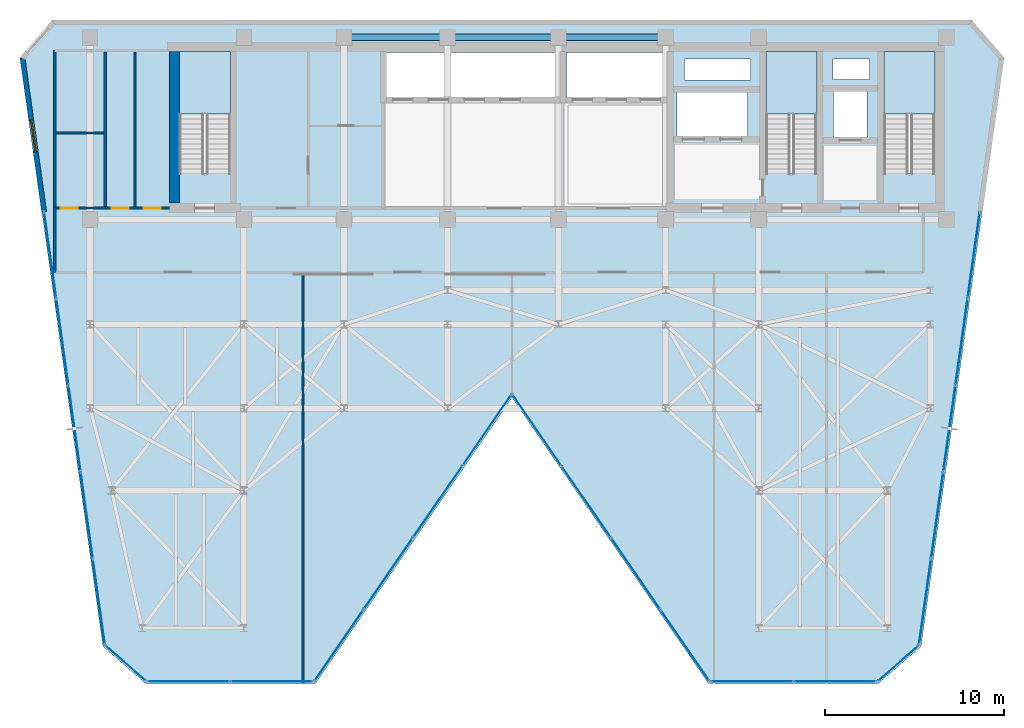
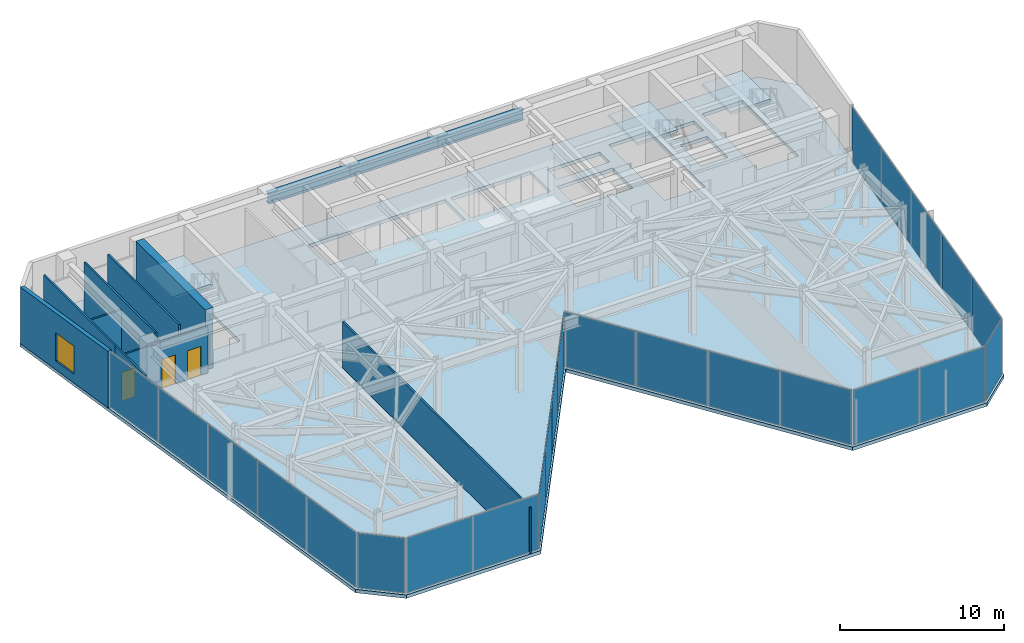
# One storey, part 21 of 25: 24 plates, 9 walls, 4 slabs, 3 beams, 3 doors, 1 window, 4 openings, 11 elements without a shape of their own.
"""IFC4 building model written with IfcOpenShell, lengths in metres."""

from ifc_helpers import new_model, si_unit, direction, frame, frame_2d, origin, origin_2d, place, context, subcontext, project, spatial, polyline, rectangle, i_section, outline, extrude, material, layer, layer_set, material_profile, profile_set, type_object, element, fill, aggregate, save


model = new_model("IFC4")

# Units and contexts
model_context = context("Model", 3, precision=1e-05, world=origin(), true_north=direction((0.0, 1.0)))
body_context = subcontext(model_context, "Body", "Model", "MODEL_VIEW")
ifc_project = project(units=[si_unit("LENGTHUNIT", "METRE"), si_unit("AREAUNIT", "SQUARE_METRE"), si_unit("VOLUMEUNIT", "CUBIC_METRE"), si_unit("PLANEANGLEUNIT", "RADIAN"), si_unit("MASSUNIT", "GRAM", prefix="KILO")], contexts=[model_context])

# Site, building, storey
site_placement = place(None, origin())
site = spatial("IfcSite", under=ifc_project, at=site_placement, CompositionType="ELEMENT")
building_placement = place(site_placement, origin())
building = spatial("IfcBuilding", under=site, at=building_placement, Name="Kravanh Interchange Tower", CompositionType="ELEMENT")
storey_placement = place(building_placement, frame((0.0, 0.0, 220.5)))
storey = spatial("IfcBuildingStorey", under=building, at=storey_placement, Name="L53", CompositionType="ELEMENT", Elevation=220.5)

# Beams
ifc_material_1 = material(Name="Structural Steel S355", Category="steel")
ifc_material_profile = material_profile(ifc_material_1, i_section(OverallWidth=0.381103515625, OverallDepth=0.77294921875, WebThickness=0.0166015625, FlangeThickness=0.027099609375, FilletRadius=0.02490234375, at=origin_2d()), Name="W30X173")
ifc_profile_set = profile_set([ifc_material_profile], Name="Structural Steel S355")
beam_type = type_object("IfcBeamType", Name="Floor Beam W30X173 Structural Steel S355", PredefinedType="BEAM", material=ifc_profile_set)
beam_1_placement = place(storey_placement, frame((50.800048828125, 47.550048828125, 3.83349609375), z_axis=(-1.0, 0.0, 0.0), x_axis=(0.0, -1.0, 0.0)))
element("IfcBeam", 1, at=beam_1_placement, inside=storey, type_object=beam_type, Name="L53 Primary Floor Girder 8", PredefinedType="BEAM", context=body_context, shape_type="SweptSolid", body=[
    extrude(i_section(OverallWidth=0.381103515625, OverallDepth=0.77294921875, WebThickness=0.0166015625, FlangeThickness=0.027099609375, FilletRadius=0.02490234375, at=origin_2d()), origin(), (0.0, 0.0, 1.0), 6.0),
])
beam_2_placement = place(storey_placement, frame((44.800048828125, 47.550048828125, 3.83349609375), z_axis=(-1.0, 0.0, 0.0), x_axis=(0.0, -1.0, 0.0)))
element("IfcBeam", 2, at=beam_2_placement, inside=storey, type_object=beam_type, Name="L53 Primary Floor Girder 15", PredefinedType="BEAM", context=body_context, shape_type="SweptSolid", body=[
    extrude(i_section(OverallWidth=0.381103515625, OverallDepth=0.77294921875, WebThickness=0.0166015625, FlangeThickness=0.027099609375, FilletRadius=0.02490234375, at=origin_2d()), origin(), (0.0, 0.0, 1.0), 6.199951171875),
])
beam_3_placement = place(storey_placement, frame((38.60009765625, 47.550048828125, 3.83349609375), z_axis=(-1.0, 0.0, 0.0), x_axis=(0.0, -1.0, 0.0)))
element("IfcBeam", 3, at=beam_3_placement, inside=storey, type_object=beam_type, Name="L53 Primary Floor Girder 19", PredefinedType="BEAM", context=body_context, shape_type="SweptSolid", body=[
    extrude(i_section(OverallWidth=0.381103515625, OverallDepth=0.77294921875, WebThickness=0.0166015625, FlangeThickness=0.027099609375, FilletRadius=0.02490234375, at=origin_2d()), origin(), (0.0, 0.0, 1.0), 5.800048828125),
])

# Slab
ifc_material_2 = material(Name="Concrete C50/60", Category="concrete")
ifc_layer_1 = layer(ifc_material_2, 0.2548828125)
ifc_layer_set_1 = layer_set([ifc_layer_1], Name="Composite Floor Slab Concrete C50/60 255mm")
slab_type_1 = type_object("IfcSlabType", Name="Composite Floor Slab Concrete C50/60 255mm", PredefinedType="FLOOR", material=ifc_layer_set_1)
slab_1_placement = place(storey_placement, frame((0.0, 0.0, -0.2548828125)))
element("IfcSlab", 4, at=slab_1_placement, inside=storey, type_object=slab_type_1, Name="L53 Structural Floor Slab", PredefinedType="FLOOR", context=body_context, shape_type="SweptSolid", body=[
    extrude(outline(polyline([(19.32177734375, 13.4794921875), (21.714111328125, 11.39990234375), (31.199951171875, 11.39990234375), (42.199951171875, 27.39990234375), (53.199951171875, 11.39990234375), (62.685791015625, 11.39990234375), (65.078125, 13.4794921875), (69.707763671875, 46.42041015625), (67.89990234375, 48.5), (16.5, 48.5), (14.6923828125, 46.42041015625), (19.32177734375, 13.4794921875)]), holes=[polyline([(65.85009765625, 39.925048828125), (65.85009765625, 46.75), (63.0, 46.75), (63.0, 39.925048828125), (65.85009765625, 39.925048828125)]), polyline([(59.25, 39.925048828125), (59.25, 46.75), (56.39990234375, 46.75), (56.39990234375, 39.925048828125), (59.25, 39.925048828125)]), polyline([(26.449951171875, 39.925048828125), (26.449951171875, 46.75), (23.60009765625, 46.75), (23.60009765625, 39.925048828125), (26.449951171875, 39.925048828125)]), polyline([(35.179931640625, 44.219970703125), (44.840087890625, 44.219970703125), (44.840087890625, 46.699951171875), (35.179931640625, 46.699951171875), (35.179931640625, 44.219970703125)]), polyline([(45.239990234375, 44.219970703125), (50.840087890625, 44.219970703125), (50.840087890625, 46.699951171875), (45.239990234375, 46.699951171875), (45.239990234375, 44.219970703125)]), polyline([(51.419921875, 42.02001953125), (55.3798828125, 42.02001953125), (55.3798828125, 44.47998046875), (51.419921875, 44.47998046875), (51.419921875, 42.02001953125)]), polyline([(60.179931640625, 41.97998046875), (62.06005859375, 41.97998046875), (62.06005859375, 44.52001953125), (60.179931640625, 44.52001953125), (60.179931640625, 41.97998046875)]), polyline([(60.14990234375, 45.199951171875), (62.199951171875, 45.199951171875), (62.199951171875, 46.35009765625), (60.14990234375, 46.35009765625), (60.14990234375, 45.199951171875)]), polyline([(51.85009765625, 45.14990234375), (55.550048828125, 45.14990234375), (55.550048828125, 46.35009765625), (51.85009765625, 46.35009765625), (51.85009765625, 45.14990234375)])]), origin(), (0.0, 0.0, 1.0), 0.2548828125),
])

# Stair, slab
ifc_material_3 = material(Name="Concrete C50/60", Category="concrete")
stair_type = type_object("IfcStairType", Name="Core Fire Exit Dogleg Stair Concrete C50/60", PredefinedType="HALF_TURN_STAIR", material=ifc_material_3)
stair_1_placement = place(storey_placement, origin())
stair_1 = element("IfcStair", 5, at=stair_1_placement, inside=storey, type_object=stair_type, Name="L53 Exit Stair ST1", PredefinedType="HALF_TURN_STAIR")
ifc_material_4 = material(Name="Concrete C50/60", Category="concrete")
ifc_layer_2 = layer(ifc_material_4, 0.199951171875)
ifc_layer_set_2 = layer_set([ifc_layer_2], Name="Concrete C50/60 Stair Half-Landing Slab 200mm")
slab_type_2 = type_object("IfcSlabType", Name="Concrete C50/60 Stair Half-Landing Slab 200mm", PredefinedType="LANDING", material=ifc_layer_set_2)
slab_2_placement = place(storey_placement, frame((0.0, 0.0, 2.050048828125)))
slab_2 = element("IfcSlab", 6, at=slab_2_placement, type_object=slab_type_2, Name="ST1 landing 1", PredefinedType="LANDING", context=body_context, shape_type="SweptSolid", body=[
    extrude(outline(polyline([(65.85009765625, 43.260009765625), (65.85009765625, 46.75), (63.0, 46.75), (63.0, 43.260009765625), (65.85009765625, 43.260009765625)])), origin(), (0.0, 0.0, 1.0), 0.199951171875),
])
aggregate(stair_1, [slab_2])

stair_2_placement = place(storey_placement, origin())
stair_2 = element("IfcStair", 7, at=stair_2_placement, inside=storey, type_object=stair_type, Name="L53 Exit Stair ST2", PredefinedType="HALF_TURN_STAIR")
slab_3_placement = place(storey_placement, frame((0.0, 0.0, 2.050048828125)))
slab_3 = element("IfcSlab", 8, at=slab_3_placement, type_object=slab_type_2, Name="ST2 landing 1", PredefinedType="LANDING", context=body_context, shape_type="SweptSolid", body=[
    extrude(outline(polyline([(59.25, 43.260009765625), (59.25, 46.75), (56.39990234375, 46.75), (56.39990234375, 43.260009765625), (59.25, 43.260009765625)])), origin(), (0.0, 0.0, 1.0), 0.199951171875),
])
aggregate(stair_2, [slab_3])

stair_3_placement = place(storey_placement, origin())
stair_3 = element("IfcStair", 9, at=stair_3_placement, inside=storey, type_object=stair_type, Name="L53 Exit Stair ST3", PredefinedType="HALF_TURN_STAIR")
slab_4_placement = place(storey_placement, frame((0.0, 0.0, 2.050048828125)))
slab_4 = element("IfcSlab", 10, at=slab_4_placement, type_object=slab_type_2, Name="ST3 landing 1", PredefinedType="LANDING", context=body_context, shape_type="SweptSolid", body=[
    extrude(outline(polyline([(26.449951171875, 43.260009765625), (26.449951171875, 46.75), (23.60009765625, 46.75), (23.60009765625, 43.260009765625), (26.449951171875, 43.260009765625)])), origin(), (0.0, 0.0, 1.0), 0.199951171875),
])
aggregate(stair_3, [slab_4])

# Curtain wall, plates
ifc_material_5 = material(Name="Anodised Bronze Aluminium", Category="aluminium")
ifc_layer_3 = layer(ifc_material_5, 0.179931640625)
ifc_layer_set_3 = layer_set([ifc_layer_3], Name="Unitised Curtain Wall System CW-SKY Sky Observatory")
curtain_wall_type = type_object("IfcCurtainWallType", Name="Unitised Curtain Wall System CW-SKY Sky Observatory", PredefinedType="NOTDEFINED", material=ifc_layer_set_3)
curtain_wall_1_placement = place(storey_placement, origin())
curtain_wall_1 = element("IfcCurtainWall", 11, at=curtain_wall_1_placement, inside=storey, type_object=curtain_wall_type, Name="L53 Unitised Curtain Wall CW-L53-01", PredefinedType="NOTDEFINED")
ifc_material_6 = material(Name="Low-E Laminated Architectural Glass", Category="glass")
ifc_layer_4 = layer(ifc_material_6, 0.035888671875)
ifc_layer_set_4 = layer_set([ifc_layer_4], Name="Extra-Clear Low-Iron Glazing 36mm")
plate_type = type_object("IfcPlateType", Name="Extra-Clear Low-Iron Glazing 36mm", PredefinedType="CURTAIN_PANEL", material=ifc_layer_set_4)
plate_1_placement = place(storey_placement, frame((19.091064453125, 15.98388671875, 0.06005859375), z_axis=(0.0, 0.0, 1.0), x_axis=(-0.139172209446, 0.990268194035, 0.0)))
plate_1 = element("IfcPlate", 12, at=plate_1_placement, type_object=plate_type, Name="CW-SKY panel 1.1", PredefinedType="CURTAIN_PANEL", context=body_context, shape_type="SweptSolid", body=[
    extrude(rectangle(XDim=4.79443359375, YDim=0.035888671875, at=origin_2d()), origin(), (0.0, 0.0, 1.0), 4.10009765625),
])
plate_2_placement = place(storey_placement, frame((18.41162109375, 20.818603515625, 0.06005859375), z_axis=(0.0, 0.0, 1.0), x_axis=(-0.139172209446, 0.990268194035, 0.0)))
plate_2 = element("IfcPlate", 13, at=plate_2_placement, type_object=plate_type, Name="CW-SKY panel 2.1", PredefinedType="CURTAIN_PANEL", context=body_context, shape_type="SweptSolid", body=[
    extrude(rectangle(XDim=4.82958984375, YDim=0.035888671875, at=origin_2d()), origin(), (0.0, 0.0, 1.0), 4.10009765625),
])
plate_3_placement = place(storey_placement, frame((17.729736328125, 25.67041015625, 0.06005859375), z_axis=(0.0, 0.0, 1.0), x_axis=(-0.139172209446, 0.990268194035, 0.0)))
plate_3 = element("IfcPlate", 14, at=plate_3_placement, type_object=plate_type, Name="CW-SKY panel 3.1", PredefinedType="CURTAIN_PANEL", context=body_context, shape_type="SweptSolid", body=[
    extrude(rectangle(XDim=4.82958984375, YDim=0.035888671875, at=origin_2d()), origin(), (0.0, 0.0, 1.0), 4.10009765625),
])
plate_4_placement = place(storey_placement, frame((17.0478515625, 30.522216796875, 0.06005859375), z_axis=(0.0, 0.0, 1.0), x_axis=(-0.139172209446, 0.990268194035, 0.0)))
plate_4 = element("IfcPlate", 15, at=plate_4_placement, type_object=plate_type, Name="CW-SKY panel 4.1", PredefinedType="CURTAIN_PANEL", context=body_context, shape_type="SweptSolid", body=[
    extrude(rectangle(XDim=4.82958984375, YDim=0.035888671875, at=origin_2d()), origin(), (0.0, 0.0, 1.0), 4.10009765625),
])
plate_5_placement = place(storey_placement, frame((16.368408203125, 35.356689453125, 0.06005859375), z_axis=(0.0, 0.0, 1.0), x_axis=(-0.139172209446, 0.990268194035, 0.0)))
plate_5 = element("IfcPlate", 16, at=plate_5_placement, type_object=plate_type, Name="CW-SKY panel 5.1", PredefinedType="CURTAIN_PANEL", context=body_context, shape_type="SweptSolid", body=[
    extrude(rectangle(XDim=4.79443359375, YDim=0.035888671875, at=origin_2d()), origin(), (0.0, 0.0, 1.0), 4.10009765625),
])
aggregate(curtain_wall_1, [plate_1, plate_2, plate_3, plate_4, plate_5])

curtain_wall_2_placement = place(storey_placement, origin())
curtain_wall_2 = element("IfcCurtainWall", 17, at=curtain_wall_2_placement, inside=storey, type_object=curtain_wall_type, Name="L53 Unitised Curtain Wall CW-L53-02", PredefinedType="NOTDEFINED")
plate_6_placement = place(storey_placement, frame((68.03173828125, 35.356689453125, 0.06005859375), z_axis=(0.0, 0.0, 1.0), x_axis=(-0.139172209446, -0.990268194035, 0.0)))
plate_6 = element("IfcPlate", 18, at=plate_6_placement, type_object=plate_type, Name="CW-SKY panel 1.1", PredefinedType="CURTAIN_PANEL", context=body_context, shape_type="SweptSolid", body=[
    extrude(rectangle(XDim=4.79443359375, YDim=0.035888671875, at=origin_2d()), origin(), (0.0, 0.0, 1.0), 4.10009765625),
])
plate_7_placement = place(storey_placement, frame((67.352294921875, 30.522216796875, 0.06005859375), z_axis=(0.0, 0.0, 1.0), x_axis=(-0.139172209446, -0.990268194035, 0.0)))
plate_7 = element("IfcPlate", 19, at=plate_7_placement, type_object=plate_type, Name="CW-SKY panel 2.1", PredefinedType="CURTAIN_PANEL", context=body_context, shape_type="SweptSolid", body=[
    extrude(rectangle(XDim=4.82958984375, YDim=0.035888671875, at=origin_2d()), origin(), (0.0, 0.0, 1.0), 4.10009765625),
])
plate_8_placement = place(storey_placement, frame((66.67041015625, 25.67041015625, 0.06005859375), z_axis=(0.0, 0.0, 1.0), x_axis=(-0.139172209446, -0.990268194035, 0.0)))
plate_8 = element("IfcPlate", 20, at=plate_8_placement, type_object=plate_type, Name="CW-SKY panel 3.1", PredefinedType="CURTAIN_PANEL", context=body_context, shape_type="SweptSolid", body=[
    extrude(rectangle(XDim=4.82958984375, YDim=0.035888671875, at=origin_2d()), origin(), (0.0, 0.0, 1.0), 4.10009765625),
])
plate_9_placement = place(storey_placement, frame((65.988525390625, 20.818603515625, 0.06005859375), z_axis=(0.0, 0.0, 1.0), x_axis=(-0.139172209446, -0.990268194035, 0.0)))
plate_9 = element("IfcPlate", 21, at=plate_9_placement, type_object=plate_type, Name="CW-SKY panel 4.1", PredefinedType="CURTAIN_PANEL", context=body_context, shape_type="SweptSolid", body=[
    extrude(rectangle(XDim=4.82958984375, YDim=0.035888671875, at=origin_2d()), origin(), (0.0, 0.0, 1.0), 4.10009765625),
])
plate_10_placement = place(storey_placement, frame((65.30908203125, 15.98388671875, 0.06005859375), z_axis=(0.0, 0.0, 1.0), x_axis=(-0.139172209446, -0.990268194035, 0.0)))
plate_10 = element("IfcPlate", 22, at=plate_10_placement, type_object=plate_type, Name="CW-SKY panel 5.1", PredefinedType="CURTAIN_PANEL", context=body_context, shape_type="SweptSolid", body=[
    extrude(rectangle(XDim=4.79443359375, YDim=0.035888671875, at=origin_2d()), origin(), (0.0, 0.0, 1.0), 4.10009765625),
])
aggregate(curtain_wall_2, [plate_6, plate_7, plate_8, plate_9, plate_10])

# Curtain wall, plate
curtain_wall_3_placement = place(storey_placement, origin())
curtain_wall_3 = element("IfcCurtainWall", 23, at=curtain_wall_3_placement, inside=storey, type_object=curtain_wall_type, Name="L53 Unitised Curtain Wall CW-L53-03", PredefinedType="NOTDEFINED")
plate_11_placement = place(storey_placement, frame((63.80322265625, 12.5302734375, 0.06005859375), z_axis=(0.0, 0.0, 1.0), x_axis=(-0.754716645379, -0.65605090137, 0.0)))
plate_11 = element("IfcPlate", 24, at=plate_11_placement, type_object=plate_type, Name="CW-SKY panel 1.1", PredefinedType="CURTAIN_PANEL", context=body_context, shape_type="SweptSolid", body=[
    extrude(rectangle(XDim=2.940185546875, YDim=0.035888671875, at=origin_2d()), origin(), (0.0, 0.0, 1.0), 4.10009765625),
])
aggregate(curtain_wall_3, [plate_11])

# Curtain wall, plates
curtain_wall_4_placement = place(storey_placement, origin())
curtain_wall_4 = element("IfcCurtainWall", 25, at=curtain_wall_4_placement, inside=storey, type_object=curtain_wall_type, Name="L53 Unitised Curtain Wall CW-L53-04", PredefinedType="NOTDEFINED")
plate_12_placement = place(storey_placement, frame((60.279052734375, 11.52001953125, 0.06005859375), z_axis=(0.0, 0.0, 1.0), x_axis=(-1.0, 0.0, 0.0)))
plate_12 = element("IfcPlate", 26, at=plate_12_placement, type_object=plate_type, Name="CW-SKY panel 1.1", PredefinedType="CURTAIN_PANEL", context=body_context, shape_type="SweptSolid", body=[
    extrude(rectangle(XDim=4.583984375, YDim=0.035888671875, at=origin_2d()), origin(), (0.0, 0.0, 1.0), 4.10009765625),
])
plate_13_placement = place(storey_placement, frame((55.625, 11.52001953125, 0.06005859375), z_axis=(0.0, 0.0, 1.0), x_axis=(-1.0, 0.0, 0.0)))
plate_13 = element("IfcPlate", 27, at=plate_13_placement, type_object=plate_type, Name="CW-SKY panel 2.1", PredefinedType="CURTAIN_PANEL", context=body_context, shape_type="SweptSolid", body=[
    extrude(rectangle(XDim=4.583984375, YDim=0.035888671875, at=origin_2d()), origin(), (0.0, 0.0, 1.0), 4.10009765625),
])
aggregate(curtain_wall_4, [plate_12, plate_13])

curtain_wall_5_placement = place(storey_placement, origin())
curtain_wall_5 = element("IfcCurtainWall", 28, at=curtain_wall_5_placement, inside=storey, type_object=curtain_wall_type, Name="L53 Unitised Curtain Wall CW-L53-05", PredefinedType="NOTDEFINED")
plate_14_placement = place(storey_placement, frame((51.870361328125, 13.5458984375, 0.06005859375), z_axis=(0.0, 0.0, 1.0), x_axis=(-0.566528388217, 0.824042223035, 0.0)))
plate_14 = element("IfcPlate", 29, at=plate_14_placement, type_object=plate_type, Name="CW-SKY panel 1.1", PredefinedType="CURTAIN_PANEL", context=body_context, shape_type="SweptSolid", body=[
    extrude(rectangle(XDim=4.77685546875, YDim=0.035888671875, at=origin_2d()), origin(), (0.0, 0.0, 1.0), 4.10009765625),
])
plate_15_placement = place(storey_placement, frame((49.114501953125, 17.554443359375, 0.06005859375), z_axis=(0.0, 0.0, 1.0), x_axis=(-0.566528388217, 0.824042223035, 0.0)))
plate_15 = element("IfcPlate", 30, at=plate_15_placement, type_object=plate_type, Name="CW-SKY panel 2.1", PredefinedType="CURTAIN_PANEL", context=body_context, shape_type="SweptSolid", body=[
    extrude(rectangle(XDim=4.81201171875, YDim=0.035888671875, at=origin_2d()), origin(), (0.0, 0.0, 1.0), 4.10009765625),
])
plate_16_placement = place(storey_placement, frame((46.3486328125, 21.577392578125, 0.06005859375), z_axis=(0.0, 0.0, 1.0), x_axis=(-0.566528388217, 0.824042223035, 0.0)))
plate_16 = element("IfcPlate", 31, at=plate_16_placement, type_object=plate_type, Name="CW-SKY panel 3.1", PredefinedType="CURTAIN_PANEL", context=body_context, shape_type="SweptSolid", body=[
    extrude(rectangle(XDim=4.81201171875, YDim=0.035888671875, at=origin_2d()), origin(), (0.0, 0.0, 1.0), 4.10009765625),
])
plate_17_placement = place(storey_placement, frame((43.5927734375, 25.5859375, 0.06005859375), z_axis=(0.0, 0.0, 1.0), x_axis=(-0.566528388217, 0.824042223035, 0.0)))
plate_17 = element("IfcPlate", 32, at=plate_17_placement, type_object=plate_type, Name="CW-SKY panel 4.1", PredefinedType="CURTAIN_PANEL", context=body_context, shape_type="SweptSolid", body=[
    extrude(rectangle(XDim=4.77685546875, YDim=0.035888671875, at=origin_2d()), origin(), (0.0, 0.0, 1.0), 4.10009765625),
])
aggregate(curtain_wall_5, [plate_14, plate_15, plate_16, plate_17])

curtain_wall_6_placement = place(storey_placement, origin())
curtain_wall_6 = element("IfcCurtainWall", 33, at=curtain_wall_6_placement, inside=storey, type_object=curtain_wall_type, Name="L53 Unitised Curtain Wall CW-L53-06", PredefinedType="NOTDEFINED")
plate_18_placement = place(storey_placement, frame((40.80712890625, 25.5859375, 0.06005859375), z_axis=(0.0, 0.0, 1.0), x_axis=(-0.566528388217, -0.824042223035, 0.0)))
plate_18 = element("IfcPlate", 34, at=plate_18_placement, type_object=plate_type, Name="CW-SKY panel 1.1", PredefinedType="CURTAIN_PANEL", context=body_context, shape_type="SweptSolid", body=[
    extrude(rectangle(XDim=4.77685546875, YDim=0.035888671875, at=origin_2d()), origin(), (0.0, 0.0, 1.0), 4.10009765625),
])
plate_19_placement = place(storey_placement, frame((38.05126953125, 21.577392578125, 0.06005859375), z_axis=(0.0, 0.0, 1.0), x_axis=(-0.566528388217, -0.824042223035, 0.0)))
plate_19 = element("IfcPlate", 35, at=plate_19_placement, type_object=plate_type, Name="CW-SKY panel 2.1", PredefinedType="CURTAIN_PANEL", context=body_context, shape_type="SweptSolid", body=[
    extrude(rectangle(XDim=4.81201171875, YDim=0.035888671875, at=origin_2d()), origin(), (0.0, 0.0, 1.0), 4.10009765625),
])
plate_20_placement = place(storey_placement, frame((35.28564453125, 17.554443359375, 0.06005859375), z_axis=(0.0, 0.0, 1.0), x_axis=(-0.566528388217, -0.824042223035, 0.0)))
plate_20 = element("IfcPlate", 36, at=plate_20_placement, type_object=plate_type, Name="CW-SKY panel 3.1", PredefinedType="CURTAIN_PANEL", context=body_context, shape_type="SweptSolid", body=[
    extrude(rectangle(XDim=4.81201171875, YDim=0.035888671875, at=origin_2d()), origin(), (0.0, 0.0, 1.0), 4.10009765625),
])
plate_21_placement = place(storey_placement, frame((32.52978515625, 13.5458984375, 0.06005859375), z_axis=(0.0, 0.0, 1.0), x_axis=(-0.566528388217, -0.824042223035, 0.0)))
plate_21 = element("IfcPlate", 37, at=plate_21_placement, type_object=plate_type, Name="CW-SKY panel 4.1", PredefinedType="CURTAIN_PANEL", context=body_context, shape_type="SweptSolid", body=[
    extrude(rectangle(XDim=4.77685546875, YDim=0.035888671875, at=origin_2d()), origin(), (0.0, 0.0, 1.0), 4.10009765625),
])
aggregate(curtain_wall_6, [plate_18, plate_19, plate_20, plate_21])

curtain_wall_7_placement = place(storey_placement, origin())
curtain_wall_7 = element("IfcCurtainWall", 38, at=curtain_wall_7_placement, inside=storey, type_object=curtain_wall_type, Name="L53 Unitised Curtain Wall CW-L53-07", PredefinedType="NOTDEFINED")
plate_22_placement = place(storey_placement, frame((28.77490234375, 11.52001953125, 0.06005859375), z_axis=(0.0, 0.0, 1.0), x_axis=(-1.0, 0.0, 0.0)))
plate_22 = element("IfcPlate", 39, at=plate_22_placement, type_object=plate_type, Name="CW-SKY panel 1.1", PredefinedType="CURTAIN_PANEL", context=body_context, shape_type="SweptSolid", body=[
    extrude(rectangle(XDim=4.583984375, YDim=0.035888671875, at=origin_2d()), origin(), (0.0, 0.0, 1.0), 4.10009765625),
])
plate_23_placement = place(storey_placement, frame((24.12109375, 11.52001953125, 0.06005859375), z_axis=(0.0, 0.0, 1.0), x_axis=(-1.0, 0.0, 0.0)))
plate_23 = element("IfcPlate", 40, at=plate_23_placement, type_object=plate_type, Name="CW-SKY panel 2.1", PredefinedType="CURTAIN_PANEL", context=body_context, shape_type="SweptSolid", body=[
    extrude(rectangle(XDim=4.583984375, YDim=0.035888671875, at=origin_2d()), origin(), (0.0, 0.0, 1.0), 4.10009765625),
])
aggregate(curtain_wall_7, [plate_22, plate_23])

# Curtain wall, plate
curtain_wall_8_placement = place(storey_placement, origin())
curtain_wall_8 = element("IfcCurtainWall", 41, at=curtain_wall_8_placement, inside=storey, type_object=curtain_wall_type, Name="L53 Unitised Curtain Wall CW-L53-08", PredefinedType="NOTDEFINED")
plate_24_placement = place(storey_placement, frame((20.5966796875, 12.5302734375, 0.06005859375), z_axis=(0.0, 0.0, 1.0), x_axis=(-0.754716645379, 0.65605090137, 0.0)))
plate_24 = element("IfcPlate", 42, at=plate_24_placement, type_object=plate_type, Name="CW-SKY panel 1.1", PredefinedType="CURTAIN_PANEL", context=body_context, shape_type="SweptSolid", body=[
    extrude(rectangle(XDim=2.940185546875, YDim=0.035888671875, at=origin_2d()), origin(), (0.0, 0.0, 1.0), 4.10009765625),
])
aggregate(curtain_wall_8, [plate_24])

# Wall, openings, doors
ifc_material_7 = material(Name="Double Acoustic Gypsum Board and Mineral Wool")
ifc_layer_5 = layer(ifc_material_7, 0.1201171875)
ifc_layer_set_5 = layer_set([ifc_layer_5], Name="Acoustic Office Drywall Partition 120mm")
wall_type_1 = type_object("IfcWallType", Name="Acoustic Office Drywall Partition 120mm", PredefinedType="PARTITIONING", material=ifc_layer_set_5)
wall_1_placement = place(storey_placement, frame((16.6201171875, 38.0, 0.0), z_axis=(0.0, 0.0, 1.0), x_axis=(1.0, 0.0, 0.0)))
wall_1 = element("IfcWall", 43, at=wall_1_placement, inside=storey, type_object=wall_type_1, Name="L53 Restroom Corridor Wall 7", PredefinedType="PARTITIONING", context=body_context, shape_type="SweptSolid", body=[
    extrude(rectangle(XDim=6.429931640625, YDim=0.1201171875, at=frame_2d((3.21484375, 0.0))), origin(), (0.0, 0.0, 1.0), 3.447021484375),
])
opening_1_placement = place(wall_1_placement, frame((0.348876953125, 0.0, 0.0)))
opening_1 = element("IfcOpeningElement", 44, at=opening_1_placement, cuts=wall_1, Name="Opening D-95", PredefinedType="OPENING", context=body_context, shape_type="SweptSolid", body=[
    extrude(rectangle(XDim=0.949951171875, YDim=2.14990234375, at=frame_2d((0.47509765625, 1.074951171875))), frame((0.0, 0.070068359375, 0.0), z_axis=(0.0, -1.0, 0.0), x_axis=(1.0, 0.0, 0.0)), (0.0, 0.0, 1.0), 0.14013671875),
])
opening_2_placement = place(wall_1_placement, frame((3.18505859375, 0.0, 0.0)))
opening_2 = element("IfcOpeningElement", 45, at=opening_2_placement, cuts=wall_1, Name="Opening D-95", PredefinedType="OPENING", context=body_context, shape_type="SweptSolid", body=[
    extrude(rectangle(XDim=0.949951171875, YDim=2.14990234375, at=frame_2d((0.47509765625, 1.074951171875))), frame((0.0, 0.070068359375, 0.0), z_axis=(0.0, -1.0, 0.0), x_axis=(1.0, 0.0, 0.0)), (0.0, 0.0, 1.0), 0.14013671875),
])
opening_3_placement = place(wall_1_placement, frame((4.97509765625, 0.0, 0.0)))
opening_3 = element("IfcOpeningElement", 46, at=opening_3_placement, cuts=wall_1, Name="Opening D-95", PredefinedType="OPENING", context=body_context, shape_type="SweptSolid", body=[
    extrude(rectangle(XDim=0.949951171875, YDim=2.14990234375, at=frame_2d((0.47509765625, 1.074951171875))), frame((0.0, 0.070068359375, 0.0), z_axis=(0.0, -1.0, 0.0), x_axis=(1.0, 0.0, 0.0)), (0.0, 0.0, 1.0), 0.14013671875),
])
ifc_material_8 = material(Name="Laminate Solid-Core Timber", Category="wood")
door_type = type_object("IfcDoorType", Name="Accessible Restroom Door 950x2150", OperationType="NOTDEFINED", PredefinedType="DOOR", material=ifc_material_8)
door_1_placement = place(opening_1_placement, origin())
door_1 = element("IfcDoor", 47, at=door_1_placement, inside=storey, type_object=door_type, Name="L53 Accessible WC Door", OperationType="SINGLE_SWING_LEFT", OverallHeight=2.14990234375, OverallWidth=0.949951171875, PredefinedType="DOOR", context=body_context, shape_type="SweptSolid", body=[
    extrude(rectangle(XDim=0.949951171875, YDim=2.14990234375, at=frame_2d((0.47509765625, 1.074951171875))), frame((0.0, 0.02490234375, 0.0), z_axis=(0.0, -1.0, 0.0), x_axis=(1.0, 0.0, 0.0)), (0.0, 0.0, 1.0), 0.050048828125),
])
fill(opening_1, door_1)
door_2_placement = place(opening_2_placement, origin())
door_2 = element("IfcDoor", 48, at=door_2_placement, inside=storey, type_object=door_type, Name="L53 Female WC Door", OperationType="SINGLE_SWING_RIGHT", OverallHeight=2.14990234375, OverallWidth=0.949951171875, PredefinedType="DOOR", context=body_context, shape_type="SweptSolid", body=[
    extrude(rectangle(XDim=0.949951171875, YDim=2.14990234375, at=frame_2d((0.47509765625, 1.074951171875))), frame((0.0, 0.02490234375, 0.0), z_axis=(0.0, -1.0, 0.0), x_axis=(1.0, 0.0, 0.0)), (0.0, 0.0, 1.0), 0.050048828125),
])
fill(opening_2, door_2)
door_3_placement = place(opening_3_placement, origin())
door_3 = element("IfcDoor", 49, at=door_3_placement, inside=storey, type_object=door_type, Name="L53 Male WC Door", OperationType="SINGLE_SWING_LEFT", OverallHeight=2.14990234375, OverallWidth=0.949951171875, PredefinedType="DOOR", context=body_context, shape_type="SweptSolid", body=[
    extrude(rectangle(XDim=0.949951171875, YDim=2.14990234375, at=frame_2d((0.47509765625, 1.074951171875))), frame((0.0, 0.02490234375, 0.0), z_axis=(0.0, -1.0, 0.0), x_axis=(1.0, 0.0, 0.0)), (0.0, 0.0, 1.0), 0.050048828125),
])
fill(opening_3, door_3)

# Walls
wall_2_placement = place(storey_placement, frame((16.6201171875, 38.0, 0.0), z_axis=(0.0, 0.0, 1.0), x_axis=(0.0, 1.0, 0.0)))
element("IfcWall", 50, at=wall_2_placement, inside=storey, type_object=wall_type_1, Name="L53 Restroom West Enclosure 8", PredefinedType="PARTITIONING", context=body_context, shape_type="SweptSolid", body=[
    extrude(rectangle(XDim=8.800048828125, YDim=0.1201171875, at=frame_2d((4.39990234375, 0.0))), origin(), (0.0, 0.0, 1.0), 4.219970703125),
])
for number, where, z_axis, x_axis, name in (
    (51, (19.449951171875, 38.068115234375, 0.0), (0.0, 0.0, 1.0), (0.0, 1.0, 0.0), "L53 Interior Partition 10"),
    (52, (21.110107421875, 38.068115234375, 0.0), (0.0, 0.0, 1.0), (0.0, 1.0, 0.0), "L53 Interior Partition 11"),
):
    element("IfcWall", number, at=place(storey_placement, frame(where, z_axis=z_axis, x_axis=x_axis)), inside=storey, type_object=wall_type_1, Name=name, PredefinedType="PARTITIONING", context=body_context, shape_type="SweptSolid", body=[
        extrude(rectangle(XDim=8.663818359375, YDim=0.1201171875, at=frame_2d((4.33203125, 0.0))), origin(), (0.0, 0.0, 1.0), 4.219970703125),
    ])
wall_3_placement = place(storey_placement, frame((16.68798828125, 42.199951171875, 0.0), z_axis=(0.0, 0.0, 1.0), x_axis=(1.0, 0.0, 0.0)))
element("IfcWall", 53, at=wall_3_placement, inside=storey, type_object=wall_type_1, Name="L53 Interior Partition 12", PredefinedType="PARTITIONING", context=body_context, shape_type="SweptSolid", body=[
    extrude(rectangle(XDim=2.694091796875, YDim=0.1201171875, at=frame_2d((1.34716796875, 0.0))), origin(), (0.0, 0.0, 1.0), 3.447021484375),
])
wall_4_placement = place(storey_placement, frame((16.6201171875, 34.39990234375, 0.0), z_axis=(0.0, 0.0, 1.0), x_axis=(0.0, 1.0, 0.0)))
element("IfcWall", 54, at=wall_4_placement, inside=storey, type_object=wall_type_1, Name="L53 Interior Partition 14", PredefinedType="PARTITIONING", context=body_context, shape_type="SweptSolid", body=[
    extrude(rectangle(XDim=3.650146484375, YDim=0.1201171875, at=frame_2d((1.8251953125, 0.0))), origin(), (0.0, 0.0, 1.0), 4.219970703125),
])
wall_5_placement = place(storey_placement, frame((30.5, 11.4150390625, 0.0), z_axis=(0.0, 0.0, 1.0), x_axis=(0.0, 1.0, 0.0)))
element("IfcWall", 55, at=wall_5_placement, inside=storey, type_object=wall_type_1, Name="L53 Interior Partition 16", PredefinedType="PARTITIONING", context=body_context, shape_type="SweptSolid", body=[
    extrude(rectangle(XDim=22.9169921875, YDim=0.1201171875, at=frame_2d((11.45849609375, 0.0))), origin(), (0.0, 0.0, 1.0), 3.447021484375),
])
ifc_material_9 = material(Name="Concrete C70/85", Category="concrete")
ifc_layer_6 = layer(ifc_material_9, 0.550048828125)
ifc_layer_set_6 = layer_set([ifc_layer_6], Name="Core Shear Wall Concrete C70/85 550mm")
wall_type_2 = type_object("IfcWallType", Name="Core Shear Wall Concrete C70/85 550mm", PredefinedType="SHEAR", material=ifc_layer_set_6)
wall_6_placement = place(storey_placement, frame((23.324951171875, 38.27490234375, 0.0), z_axis=(0.0, 0.0, 1.0), x_axis=(0.0, 1.0, 0.0)))
element("IfcWall", 56, at=wall_6_placement, inside=storey, type_object=wall_type_2, Name="L53 Stair ST3 West Shear Wall", PredefinedType="SHEAR", context=body_context, shape_type="SweptSolid", body=[
    extrude(rectangle(XDim=8.47509765625, YDim=0.550048828125, at=frame_2d((4.237548828125, 0.0))), origin(), (0.0, 0.0, 1.0), 4.5),
])

# Wall, opening, window
ifc_material_10 = material(Name="Insulated Precast Concrete C40/50 with Bronze Cladding", Category="concrete")
ifc_layer_7 = layer(ifc_material_10, 0.280029296875)
ifc_layer_set_7 = layer_set([ifc_layer_7], Name="Exterior Insulated Concrete C40/50 Bronze Spandrel Wall 280mm")
wall_type_3 = type_object("IfcWallType", Name="Exterior Insulated Concrete C40/50 Bronze Spandrel Wall 280mm", PredefinedType="STANDARD", material=ifc_layer_set_7)
wall_7_placement = place(storey_placement, frame((16.02490234375, 37.800048828125, 0.0), z_axis=(0.0, 0.0, 1.0), x_axis=(-0.13918102754, 0.990266954701, 0.0)))
wall_7 = element("IfcWall", 57, at=wall_7_placement, inside=storey, type_object=wall_type_3, Name="L53 Exterior Wall 1", PredefinedType="STANDARD", context=body_context, shape_type="SweptSolid", body=[
    extrude(rectangle(XDim=8.667236328125, YDim=0.280029296875, at=frame_2d((4.33349609375, 0.0))), origin(), (0.0, 0.0, 1.0), 4.219970703125),
])
opening_4_placement = place(wall_7_placement, frame((3.37353515625, 0.0, 0.64990234375)))
opening_4 = element("IfcOpeningElement", 58, at=opening_4_placement, cuts=wall_7, Name="Opening WN-180X210", PredefinedType="OPENING", context=body_context, shape_type="SweptSolid", body=[
    extrude(rectangle(XDim=1.800048828125, YDim=2.10009765625, at=frame_2d((0.89990234375, 1.050048828125))), frame((0.0, 0.14990234375, 0.0), z_axis=(0.0, -1.0, 0.0), x_axis=(1.0, 0.0, 0.0)), (0.0, 0.0, 1.0), 0.300048828125),
])
ifc_material_11 = material(Name="Thermally Broken Bronze Aluminium and Low-E Glass", Category="aluminium")
window_type = type_object("IfcWindowType", Name="Tower Pier Window 1800x2100", PartitioningType="SINGLE_PANEL", PredefinedType="WINDOW", material=ifc_material_11)
window_placement = place(opening_4_placement, origin())
window = element("IfcWindow", 59, at=window_placement, inside=storey, type_object=window_type, Name="L53 Corner Window 1", OverallHeight=2.10009765625, OverallWidth=1.800048828125, PartitioningType="SINGLE_PANEL", PredefinedType="WINDOW", context=body_context, shape_type="SweptSolid", body=[
    extrude(rectangle(XDim=1.800048828125, YDim=2.10009765625, at=frame_2d((0.89990234375, 1.050048828125))), frame((0.0, 0.030029296875, 0.0), z_axis=(0.0, -1.0, 0.0), x_axis=(1.0, 0.0, 0.0)), (0.0, 0.0, 1.0), 0.06005859375),
])
fill(opening_4, window)

save(model, "model.ifc")
